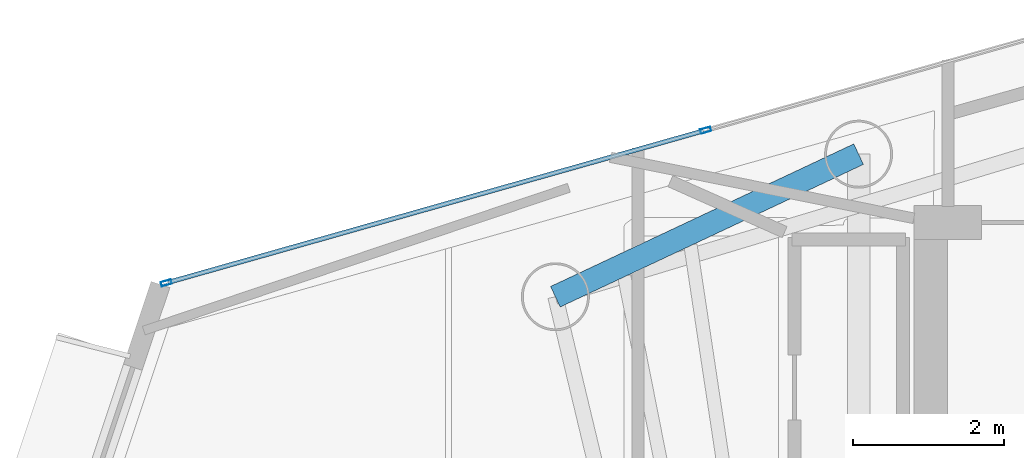
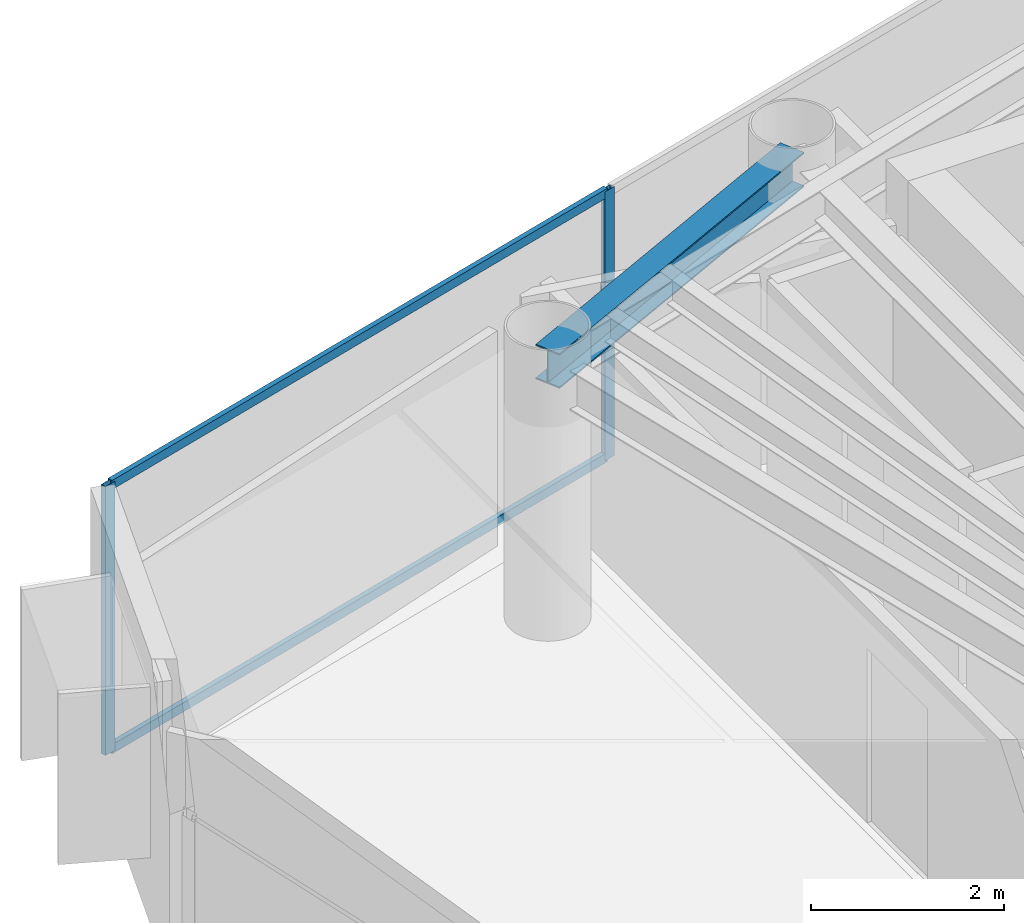
# One storey, part 9 of 20: 4 members, 1 beam, 1 element without a shape of its own.
"""IFC4 building model written with IfcOpenShell, lengths in metres."""

from ifc_helpers import new_model, si_unit, direction, frame, origin, origin_2d, place, context, subcontext, project, spatial, hollow_rectangle, i_section, extrude, material, layer, layer_set, material_profile, profile_set, type_object, element, aggregate, save


model = new_model("IFC4")

# Units and contexts
model_context = context("Model", 3, precision=1e-05, world=origin(), true_north=direction((0.0, 1.0)))
body_context = subcontext(model_context, "Body", "Model", "MODEL_VIEW")
ifc_project = project(units=[si_unit("LENGTHUNIT", "METRE"), si_unit("AREAUNIT", "SQUARE_METRE"), si_unit("VOLUMEUNIT", "CUBIC_METRE"), si_unit("PLANEANGLEUNIT", "RADIAN"), si_unit("MASSUNIT", "GRAM", prefix="KILO")], contexts=[model_context])

# Site, building, storey
site_placement = place(None, origin())
site = spatial("IfcSite", under=ifc_project, at=site_placement, CompositionType="ELEMENT")
building_placement = place(site_placement, origin())
building = spatial("IfcBuilding", under=site, at=building_placement, Name="Qianvela Tower", CompositionType="ELEMENT")
storey_placement = place(building_placement, frame((0.0, 0.0, 317.60009765625)))
storey = spatial("IfcBuildingStorey", under=building, at=storey_placement, Name="L82", CompositionType="ELEMENT", Elevation=317.60009765625)

# Beam
ifc_material_1 = material(Name="Steel Q355B", Category="steel")
ifc_material_profile_1 = material_profile(ifc_material_1, i_section(OverallWidth=0.300048828125, OverallDepth=0.43994140625, WebThickness=0.010986328125, FlangeThickness=0.01806640625, at=origin_2d()), Name="HM440x300x11x18")
ifc_profile_set_1 = profile_set([ifc_material_profile_1], Name="Steel Q355B")
beam_type = type_object("IfcBeamType", Name="BM-HM440-COLL", PredefinedType="BEAM", material=ifc_profile_set_1)
beam_placement = place(storey_placement, frame((28.60009765625, 33.550048828125, 3.177978515625), z_axis=(-0.904957143986, -0.425502723316, 0.0), x_axis=(0.425502723316, -0.904957143986, 0.0)))
element("IfcBeam", 1, at=beam_placement, inside=storey, type_object=beam_type, Name="L82 Radial Primary Floor Girder 3", PredefinedType="BEAM", context=body_context, shape_type="SweptSolid", body=[
    extrude(i_section(OverallWidth=0.300048828125, OverallDepth=0.43994140625, WebThickness=0.010986328125, FlangeThickness=0.01806640625, at=origin_2d()), origin(), (0.0, 0.0, 1.0), 4.4345703125),
])

# Curtain wall, members
ifc_material_2 = material(Name="Anodised Architectural Aluminium and Low-E Glass", Category="aluminium")
ifc_layer = layer(ifc_material_2, 0.14990234375)
ifc_layer_set = layer_set([ifc_layer], Name="Anodised Architectural Aluminium and Low-E Glass")
curtain_wall_type = type_object("IfcCurtainWallType", Name="CW-COLIV-Z78", PredefinedType="USERDEFINED", material=ifc_layer_set)
curtain_wall_placement = place(storey_placement, origin())
curtain_wall = element("IfcCurtainWall", 2, at=curtain_wall_placement, inside=storey, type_object=curtain_wall_type, Name="L82 CW-COLIV-Z78 Curtain Wall 02C", ObjectType="CURTAIN_WALL_SYSTEM", PredefinedType="USERDEFINED")
ifc_material_3 = material(Name="Anodised Architectural Aluminium 6063-T6", Category="aluminium")
ifc_material_profile_2 = material_profile(ifc_material_3, hollow_rectangle(XDim=0.06005859375, YDim=0.139892578125, WallThickness=0.00439453125, at=origin_2d()), Name="ALU-MULL-60x140")
ifc_profile_set_2 = profile_set([ifc_material_profile_2], Name="Anodised Architectural Aluminium 6063-T6")
member_type_1 = type_object("IfcMemberType", Name="CW-COLIV-Z78-MULL", PredefinedType="MULLION", material=ifc_profile_set_2)
member_1_placement = place(storey_placement, frame((26.57568359375, 33.866943359375, 0.0), z_axis=(0.0, 0.0, 1.0), x_axis=(0.272401143792, -0.962183774994, 0.0)))
member_1 = element("IfcMember", 3, at=member_1_placement, type_object=member_type_1, Name="CW-6 mullion 2", PredefinedType="MULLION", context=body_context, shape_type="SweptSolid", body=[
    extrude(hollow_rectangle(XDim=0.06005859375, YDim=0.139892578125, WallThickness=0.00439453125, at=origin_2d()), origin(), (0.0, 0.0, 1.0), 3.39990234375),
])
member_2_placement = place(storey_placement, frame((19.437255859375, 31.84619140625, 0.0), z_axis=(0.0, 0.0, 1.0), x_axis=(0.272401143792, -0.962183774994, 0.0)))
member_2 = element("IfcMember", 4, at=member_2_placement, type_object=member_type_1, Name="CW-6 mullion 3", PredefinedType="MULLION", context=body_context, shape_type="SweptSolid", body=[
    extrude(hollow_rectangle(XDim=0.06005859375, YDim=0.139892578125, WallThickness=0.00439453125, at=origin_2d()), origin(), (0.0, 0.0, 1.0), 3.39990234375),
])
ifc_material_4 = material(Name="Anodised Architectural Aluminium 6063-T6", Category="aluminium")
ifc_material_profile_3 = material_profile(ifc_material_4, hollow_rectangle(XDim=0.06005859375, YDim=0.114990234375, WallThickness=0.00390625, at=origin_2d()), Name="ALU-TRAN-60x115")
ifc_profile_set_3 = profile_set([ifc_material_profile_3], Name="Anodised Architectural Aluminium 6063-T6")
member_type_2 = type_object("IfcMemberType", Name="CW-COLIV-Z78-TRAN", PredefinedType="USERDEFINED", material=ifc_profile_set_3)
member_3_placement = place(storey_placement, frame((26.546875, 33.85888671875, 0.02978515625), z_axis=(-0.962180946235, -0.272411135423, 0.0), x_axis=(0.272411135423, -0.962180946235, 0.0)))
member_3 = element("IfcMember", 5, at=member_3_placement, type_object=member_type_2, Name="CW-6 transom 2.1", ObjectType="TRANSOM", PredefinedType="USERDEFINED", context=body_context, shape_type="SweptSolid", body=[
    extrude(hollow_rectangle(XDim=0.06005859375, YDim=0.114990234375, WallThickness=0.00390625, at=origin_2d()), origin(), (0.0, 0.0, 1.0), 7.35888671875),
])
member_4_placement = place(storey_placement, frame((26.546875, 33.85888671875, 3.369873046875), z_axis=(-0.962180946235, -0.272411135423, 0.0), x_axis=(0.272411135423, -0.962180946235, 0.0)))
member_4 = element("IfcMember", 6, at=member_4_placement, type_object=member_type_2, Name="CW-6 transom 2.2", ObjectType="TRANSOM", PredefinedType="USERDEFINED", context=body_context, shape_type="SweptSolid", body=[
    extrude(hollow_rectangle(XDim=0.06005859375, YDim=0.114990234375, WallThickness=0.00390625, at=origin_2d()), origin(), (0.0, 0.0, 1.0), 7.35888671875),
])
aggregate(curtain_wall, [member_1, member_2, member_3, member_4])

save(model, "model.ifc")
